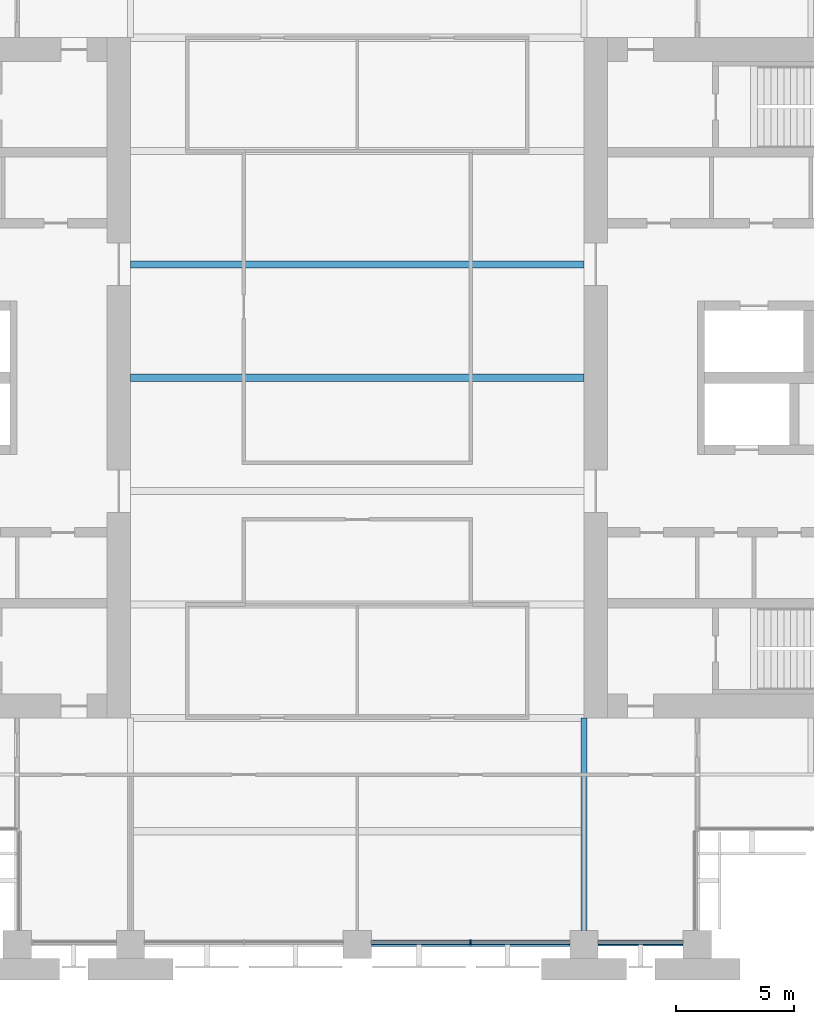
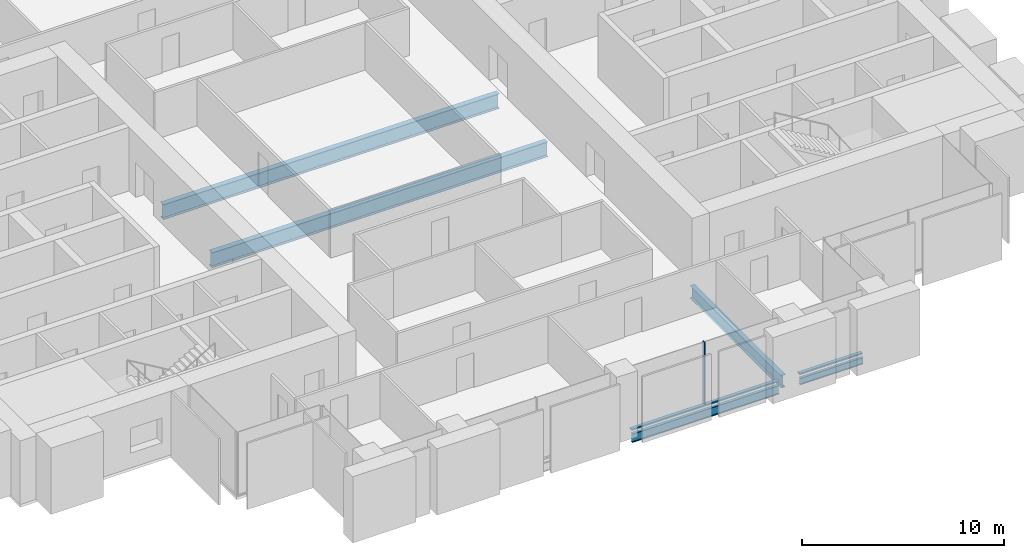
# One storey, part 3 of 14: 5 beams, 3 members, 1 element without a shape of its own.
"""IFC4 building model written with IfcOpenShell, lengths in metres."""

from ifc_helpers import new_model, si_unit, direction, frame, origin, origin_2d, place, context, subcontext, project, spatial, rectangle, i_section, extrude, material, material_profile, profile_set, type_object, element, aggregate, save


model = new_model("IFC4")

# Units and contexts
model_context = context("Model", 3, precision=1e-05, world=origin(), true_north=direction((0.0, 1.0)))
body_context = subcontext(model_context, "Body", "Model", "MODEL_VIEW")
ifc_project = project(units=[si_unit("LENGTHUNIT", "METRE"), si_unit("AREAUNIT", "SQUARE_METRE"), si_unit("VOLUMEUNIT", "CUBIC_METRE"), si_unit("PLANEANGLEUNIT", "RADIAN"), si_unit("MASSUNIT", "GRAM", prefix="KILO")], contexts=[model_context])

# Site, building, storey
site_placement = place(None, origin())
site = spatial("IfcSite", under=ifc_project, at=site_placement, CompositionType="ELEMENT")
building_placement = place(site_placement, origin())
building = spatial("IfcBuilding", under=site, at=building_placement, Name="Baori Bourse Tower", CompositionType="ELEMENT")
storey_placement = place(building_placement, frame((0.0, 0.0, 112.10009765625)))
storey = spatial("IfcBuildingStorey", under=building, at=storey_placement, Name="L23", CompositionType="ELEMENT", Elevation=112.10009765625)

# Curtain wall, members
ifc_material_1 = material(Name="Pale anodised aluminium", Category="aluminium")
curtain_wall_type = type_object("IfcCurtainWallType", Name="CW1 Curtain wall", PredefinedType="NOTDEFINED", material=ifc_material_1)
curtain_wall_placement = place(storey_placement, origin())
curtain_wall = element("IfcCurtainWall", 1, at=curtain_wall_placement, inside=storey, type_object=curtain_wall_type, Name="Curtain wall CW1 L23 11", PredefinedType="NOTDEFINED")
ifc_material_2 = material(Name="Pale anodised aluminium", Category="aluminium")
ifc_material_profile_1 = material_profile(ifc_material_2, rectangle(XDim=0.199951171875, YDim=0.06005859375, at=origin_2d()), Name="Mullion 60x200")
ifc_profile_set_1 = profile_set([ifc_material_profile_1], Name="Pale anodised aluminium")
member_type_1 = type_object("IfcMemberType", Name="CW1 Curtain wall mullion", PredefinedType="MULLION", material=ifc_profile_set_1)
member_1_placement = place(storey_placement, frame((33.60009765625, 0.10009765625, 0.079833984375), z_axis=(0.0, 0.0, 1.0), x_axis=(0.0, 1.0, 0.0)))
member_1 = element("IfcMember", 2, at=member_1_placement, type_object=member_type_1, Name="Curtain wall CW1 mullion", PredefinedType="MULLION", context=body_context, shape_type="SweptSolid", body=[
    extrude(rectangle(XDim=0.199951171875, YDim=0.06005859375, at=origin_2d()), origin(), (0.0, 0.0, 1.0), 3.760009765625),
])
ifc_material_3 = material(Name="Pale anodised aluminium", Category="aluminium")
ifc_material_profile_2 = material_profile(ifc_material_3, rectangle(XDim=0.199951171875, YDim=0.080078125, at=origin_2d()), Name="Transom 80x200")
ifc_profile_set_2 = profile_set([ifc_material_profile_2], Name="Pale anodised aluminium")
member_type_2 = type_object("IfcMemberType", Name="CW1 Curtain wall transom", PredefinedType="USERDEFINED", material=ifc_profile_set_2)
member_2_placement = place(storey_placement, frame((29.39990234375, 0.10009765625, 0.039794921875), z_axis=(1.0, 0.0, 0.0), x_axis=(0.0, 1.0, 0.0)))
member_2 = element("IfcMember", 3, at=member_2_placement, type_object=member_type_2, Name="Curtain wall CW1 sill rail", ObjectType="TRANSOM", PredefinedType="USERDEFINED", context=body_context, shape_type="SweptSolid", body=[
    extrude(rectangle(XDim=0.199951171875, YDim=0.080078125, at=origin_2d()), origin(), (0.0, 0.0, 1.0), 8.400146484375),
])
member_3_placement = place(storey_placement, frame((39.0, 0.10009765625, 0.039794921875), z_axis=(1.0, 0.0, 0.0), x_axis=(0.0, 1.0, 0.0)))
member_3 = element("IfcMember", 4, at=member_3_placement, type_object=member_type_2, Name="Curtain wall CW1 sill rail", ObjectType="TRANSOM", PredefinedType="USERDEFINED", context=body_context, shape_type="SweptSolid", body=[
    extrude(rectangle(XDim=0.199951171875, YDim=0.080078125, at=origin_2d()), origin(), (0.0, 0.0, 1.0), 3.60009765625),
])
aggregate(curtain_wall, [member_2, member_1, member_3])

# Beams
ifc_material_4 = material(Name="Steel A992 Gr 50", Category="steel")
ifc_material_profile_3 = material_profile(ifc_material_4, i_section(OverallWidth=0.140380859375, OverallDepth=0.40380859375, WebThickness=0.007080078125, FlangeThickness=0.01123046875, at=origin_2d()), Name="W16x31")
ifc_profile_set_3 = profile_set([ifc_material_profile_3], Name="Steel A992 Gr 50")
beam_type_1 = type_object("IfcBeamType", Name="Edge beam W16x31", PredefinedType="BEAM", material=ifc_profile_set_3)
beam_1_placement = place(storey_placement, frame((39.0, 0.0, -0.362060546875), z_axis=(1.0, 0.0, 0.0), x_axis=(0.0, 1.0, 0.0)))
element("IfcBeam", 5, at=beam_1_placement, inside=storey, type_object=beam_type_1, Name="Edge beam L23", PredefinedType="BEAM", context=body_context, shape_type="SweptSolid", body=[
    extrude(i_section(OverallWidth=0.140380859375, OverallDepth=0.40380859375, WebThickness=0.007080078125, FlangeThickness=0.01123046875, at=origin_2d()), origin(), (0.0, 0.0, 1.0), 3.60009765625),
])
ifc_material_5 = material(Name="Steel A992 Gr 50", Category="steel")
ifc_material_profile_4 = material_profile(ifc_material_5, i_section(OverallWidth=0.1650390625, OverallDepth=0.52587890625, WebThickness=0.0087890625, FlangeThickness=0.011474609375, at=origin_2d()), Name="W21x44")
ifc_profile_set_4 = profile_set([ifc_material_profile_4], Name="Steel A992 Gr 50")
beam_type_2 = type_object("IfcBeamType", Name="Edge beam W21x44", PredefinedType="BEAM", material=ifc_profile_set_4)
beam_2_placement = place(storey_placement, frame((29.39990234375, 0.0, -0.423095703125), z_axis=(1.0, 0.0, 0.0), x_axis=(0.0, 1.0, 0.0)))
element("IfcBeam", 6, at=beam_2_placement, inside=storey, type_object=beam_type_2, Name="Edge beam L23", PredefinedType="BEAM", context=body_context, shape_type="SweptSolid", body=[
    extrude(i_section(OverallWidth=0.1650390625, OverallDepth=0.52587890625, WebThickness=0.0087890625, FlangeThickness=0.011474609375, at=origin_2d()), origin(), (0.0, 0.0, 1.0), 8.400146484375),
])
ifc_material_6 = material(Name="Steel A992 Gr 50", Category="steel")
ifc_material_profile_5 = material_profile(ifc_material_6, i_section(OverallWidth=0.3046875, OverallDepth=0.904296875, WebThickness=0.01513671875, FlangeThickness=0.02001953125, at=origin_2d()), Name="W36x135")
ifc_profile_set_5 = profile_set([ifc_material_profile_5], Name="Steel A992 Gr 50")
beam_type_3 = type_object("IfcBeamType", Name="Floor beam W36x135", PredefinedType="BEAM", material=ifc_profile_set_5)
for number, where, z_axis, x_axis, name in (
    (7, (19.199951171875, 24.0, -0.6123046875), (1.0, 0.0, 0.0), (0.0, 1.0, 0.0), "Floor beam L23"),
    (8, (19.199951171875, 28.800048828125, -0.6123046875), (1.0, 0.0, 0.0), (0.0, 1.0, 0.0), "Floor beam L23"),
):
    element("IfcBeam", number, at=place(storey_placement, frame(where, z_axis=z_axis, x_axis=x_axis)), inside=storey, type_object=beam_type_3, Name=name, PredefinedType="BEAM", context=body_context, shape_type="SweptSolid", body=[
        extrude(i_section(OverallWidth=0.3046875, OverallDepth=0.904296875, WebThickness=0.01513671875, FlangeThickness=0.02001953125, at=origin_2d()), origin(), (0.0, 0.0, 1.0), 19.199951171875),
    ])
ifc_material_7 = material(Name="Steel A992 Gr 50", Category="steel")
ifc_material_profile_6 = material_profile(ifc_material_7, i_section(OverallWidth=0.26416015625, OverallDepth=0.749267578125, WebThickness=0.011962890625, FlangeThickness=0.015380859375, at=origin_2d()), Name="W30x90")
ifc_profile_set_6 = profile_set([ifc_material_profile_6], Name="Steel A992 Gr 50")
beam_type_4 = type_object("IfcBeamType", Name="Girder W30x90", PredefinedType="BEAM", material=ifc_profile_set_6)
beam_3_placement = place(storey_placement, frame((38.39990234375, 0.60009765625, -0.53466796875), z_axis=(0.0, 1.0, 0.0), x_axis=(-1.0, 0.0, 0.0)))
element("IfcBeam", 9, at=beam_3_placement, inside=storey, type_object=beam_type_4, Name="Girder L23", PredefinedType="BEAM", context=body_context, shape_type="SweptSolid", body=[
    extrude(i_section(OverallWidth=0.26416015625, OverallDepth=0.749267578125, WebThickness=0.011962890625, FlangeThickness=0.015380859375, at=origin_2d()), origin(), (0.0, 0.0, 1.0), 9.0),
])

save(model, "model.ifc")
